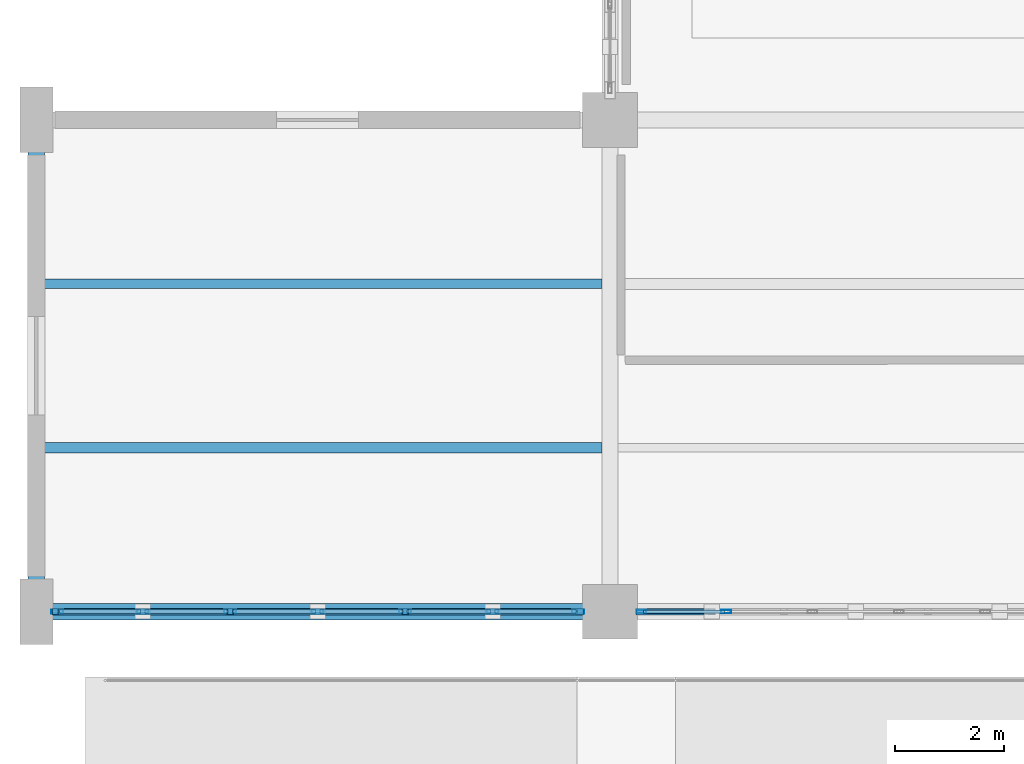
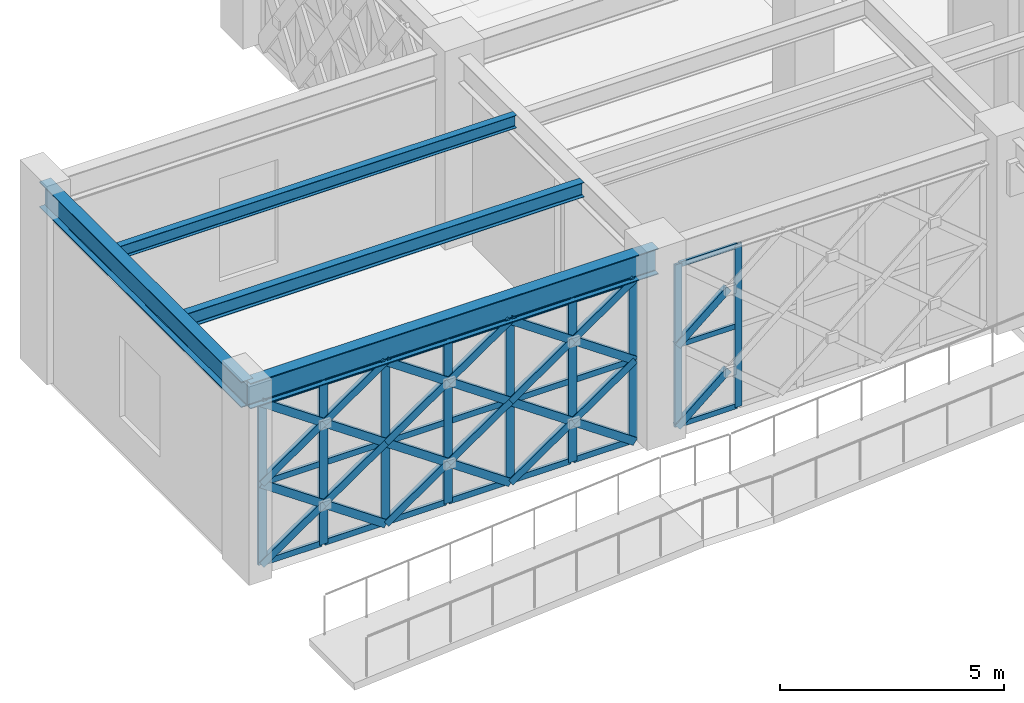
# One storey, part 37 of 140: 50 members, 4 beams, 2 elements without a shape of their own.
"""IFC4 building model written with IfcOpenShell, lengths in metres."""

from ifc_helpers import new_model, si_unit, direction, frame, origin, origin_2d, place, context, subcontext, project, spatial, hollow_rectangle, i_section, extrude, material, material_profile, profile_set, type_object, element, aggregate, save


model = new_model("IFC4")

# Units and contexts
model_context = context("Model", 3, precision=1e-05, world=origin(), true_north=direction((0.0, 1.0)))
body_context = subcontext(model_context, "Body", "Model", "MODEL_VIEW")
ifc_project = project(units=[si_unit("LENGTHUNIT", "METRE"), si_unit("AREAUNIT", "SQUARE_METRE"), si_unit("VOLUMEUNIT", "CUBIC_METRE"), si_unit("PLANEANGLEUNIT", "RADIAN"), si_unit("MASSUNIT", "GRAM", prefix="KILO")], contexts=[model_context])

# Site, building, storey
site_placement = place(None, origin())
site = spatial("IfcSite", under=ifc_project, at=site_placement, CompositionType="ELEMENT")
building_placement = place(site_placement, origin())
building = spatial("IfcBuilding", under=site, at=building_placement, Name="Haizhuo Lancet Aquarium", CompositionType="ELEMENT")
storey_placement = place(building_placement, origin())
storey = spatial("IfcBuildingStorey", under=building, at=storey_placement, Name="L00", CompositionType="ELEMENT", Elevation=0.0)

# Beams
ifc_material_1 = material(Name="Steel S355", Category="steel")
ifc_material_profile_1 = material_profile(ifc_material_1, i_section(OverallWidth=0.300048828125, OverallDepth=0.699951171875, WebThickness=0.012939453125, FlangeThickness=0.02392578125, FilletRadius=0.02587890625, at=origin_2d()), Name="HN 700x300x13x24")
ifc_profile_set_1 = profile_set([ifc_material_profile_1], Name="Steel S355")
beam_type_1 = type_object("IfcBeamType", Name="BM-ST-HN700", PredefinedType="BEAM", material=ifc_profile_set_1)
beam_1_placement = place(storey_placement, frame((-82.5, 9.0, 4.77001953125), z_axis=(0.0, 1.0, 0.0), x_axis=(-1.0, 0.0, 0.0)))
element("IfcBeam", 1, at=beam_1_placement, inside=storey, type_object=beam_type_1, Name="L00 V2 primary girder BM-L00-V2-001", PredefinedType="BEAM", context=body_context, shape_type="SweptSolid", body=[
    extrude(i_section(OverallWidth=0.300048828125, OverallDepth=0.699951171875, WebThickness=0.012939453125, FlangeThickness=0.02392578125, FilletRadius=0.02587890625, at=origin_2d()), origin(), (0.0, 0.0, 1.0), 9.0),
])
beam_2_placement = place(storey_placement, frame((-82.5, 9.0, 4.77001953125), z_axis=(1.0, 0.0, 0.0), x_axis=(0.0, 1.0, 0.0)))
element("IfcBeam", 2, at=beam_2_placement, inside=storey, type_object=beam_type_1, Name="L00 V2 primary girder BM-L00-V2-002", PredefinedType="BEAM", context=body_context, shape_type="SweptSolid", body=[
    extrude(i_section(OverallWidth=0.300048828125, OverallDepth=0.699951171875, WebThickness=0.012939453125, FlangeThickness=0.02392578125, FilletRadius=0.02587890625, at=origin_2d()), origin(), (0.0, 0.0, 1.0), 10.5),
])

# Curtain wall, members
ifc_material_2 = material(Name="Aluminium 6063-T6", Category="aluminium")
curtain_wall_type_1 = type_object("IfcCurtainWallType", Name="CWO-7910x4420", PredefinedType="NOTDEFINED", material=ifc_material_2)
curtain_wall_1_placement = place(storey_placement, origin())
curtain_wall_1 = element("IfcCurtainWall", 3, at=curtain_wall_1_placement, inside=storey, type_object=curtain_wall_type_1, Name="L00 curtain wall CW-V2-L00-019", PredefinedType="NOTDEFINED")
ifc_material_profile_2 = material_profile(ifc_material_2, hollow_rectangle(XDim=0.06494140625, YDim=0.179931640625, WallThickness=0.00390625, at=origin_2d()), Name="ALU-M 65x180x4")
ifc_profile_set_2 = profile_set([ifc_material_profile_2], Name="Aluminium 6063-T6")
member_type_1 = type_object("IfcMemberType", Name="CW-MUL-1", PredefinedType="MULLION", material=ifc_profile_set_2)
member_1_placement = place(storey_placement, frame((-69.873046875, 9.0, 0.0), z_axis=(0.0, 0.0, 1.0), x_axis=(0.0, -1.0, 0.0)))
member_1 = element("IfcMember", 4, at=member_1_placement, type_object=member_type_1, Name="CWO-79x44 mullion 5", PredefinedType="MULLION", context=body_context, shape_type="SweptSolid", body=[
    extrude(hollow_rectangle(XDim=0.06494140625, YDim=0.179931640625, WallThickness=0.00390625, at=origin_2d()), origin(), (0.0, 0.0, 1.0), 4.419921875),
])
member_2_placement = place(storey_placement, frame((-71.422119140625, 9.0, 0.0), z_axis=(0.0, 0.0, 1.0), x_axis=(0.0, -1.0, 0.0)))
member_2 = element("IfcMember", 5, at=member_2_placement, type_object=member_type_1, Name="CWO-79x44 mullion 6", PredefinedType="MULLION", context=body_context, shape_type="SweptSolid", body=[
    extrude(hollow_rectangle(XDim=0.06494140625, YDim=0.179931640625, WallThickness=0.00390625, at=origin_2d()), origin(), (0.0, 0.0, 1.0), 4.419921875),
])

curtain_wall_type_2 = type_object("IfcCurtainWallType", Name="CWO-9610x4420", PredefinedType="NOTDEFINED", material=ifc_material_2)
curtain_wall_2_placement = place(storey_placement, origin())
curtain_wall_2 = element("IfcCurtainWall", 6, at=curtain_wall_2_placement, inside=storey, type_object=curtain_wall_type_2, Name="L00 curtain wall CW-V2-L00-020", PredefinedType="NOTDEFINED")
ifc_material_profile_3 = material_profile(ifc_material_2, hollow_rectangle(XDim=0.074951171875, YDim=0.219970703125, WallThickness=0.0048828125, at=origin_2d()), Name="ALU-M 75x220x5")
ifc_profile_set_3 = profile_set([ifc_material_profile_3], Name="Aluminium 6063-T6")
member_type_2 = type_object("IfcMemberType", Name="CW-MUL-2", PredefinedType="MULLION", material=ifc_profile_set_3)
member_3_placement = place(storey_placement, frame((-72.58203125, 9.0, 0.0), z_axis=(0.0, 0.0, 1.0), x_axis=(0.0, -1.0, 0.0)))
member_3 = element("IfcMember", 7, at=member_3_placement, type_object=member_type_2, Name="CWO-96x44 mullion 1", PredefinedType="MULLION", context=body_context, shape_type="SweptSolid", body=[
    extrude(hollow_rectangle(XDim=0.074951171875, YDim=0.219970703125, WallThickness=0.0048828125, at=origin_2d()), origin(), (0.0, 0.0, 1.0), 4.419921875),
])
member_4_placement = place(storey_placement, frame((-74.14697265625, 9.0, 0.0), z_axis=(0.0, 0.0, 1.0), x_axis=(0.0, -1.0, 0.0)))
member_4 = element("IfcMember", 8, at=member_4_placement, type_object=member_type_2, Name="CWO-96x44 mullion 2", PredefinedType="MULLION", context=body_context, shape_type="SweptSolid", body=[
    extrude(hollow_rectangle(XDim=0.074951171875, YDim=0.219970703125, WallThickness=0.0048828125, at=origin_2d()), origin(), (0.0, 0.0, 1.0), 4.419921875),
])
member_5_placement = place(storey_placement, frame((-75.748046875, 9.0, 0.0), z_axis=(0.0, 0.0, 1.0), x_axis=(0.0, -1.0, 0.0)))
member_5 = element("IfcMember", 9, at=member_5_placement, type_object=member_type_2, Name="CWO-96x44 mullion 3", PredefinedType="MULLION", context=body_context, shape_type="SweptSolid", body=[
    extrude(hollow_rectangle(XDim=0.074951171875, YDim=0.219970703125, WallThickness=0.0048828125, at=origin_2d()), origin(), (0.0, 0.0, 1.0), 4.419921875),
])
member_6_placement = place(storey_placement, frame((-77.35009765625, 9.0, 0.0), z_axis=(0.0, 0.0, 1.0), x_axis=(0.0, -1.0, 0.0)))
member_6 = element("IfcMember", 10, at=member_6_placement, type_object=member_type_2, Name="CWO-96x44 mullion 4", PredefinedType="MULLION", context=body_context, shape_type="SweptSolid", body=[
    extrude(hollow_rectangle(XDim=0.074951171875, YDim=0.219970703125, WallThickness=0.0048828125, at=origin_2d()), origin(), (0.0, 0.0, 1.0), 4.419921875),
])
member_7_placement = place(storey_placement, frame((-78.951904296875, 9.0, 0.0), z_axis=(0.0, 0.0, 1.0), x_axis=(0.0, -1.0, 0.0)))
member_7 = element("IfcMember", 11, at=member_7_placement, type_object=member_type_2, Name="CWO-96x44 mullion 5", PredefinedType="MULLION", context=body_context, shape_type="SweptSolid", body=[
    extrude(hollow_rectangle(XDim=0.074951171875, YDim=0.219970703125, WallThickness=0.0048828125, at=origin_2d()), origin(), (0.0, 0.0, 1.0), 4.419921875),
])
member_8_placement = place(storey_placement, frame((-80.552978515625, 9.0, 0.0), z_axis=(0.0, 0.0, 1.0), x_axis=(0.0, -1.0, 0.0)))
member_8 = element("IfcMember", 12, at=member_8_placement, type_object=member_type_2, Name="CWO-96x44 mullion 6", PredefinedType="MULLION", context=body_context, shape_type="SweptSolid", body=[
    extrude(hollow_rectangle(XDim=0.074951171875, YDim=0.219970703125, WallThickness=0.0048828125, at=origin_2d()), origin(), (0.0, 0.0, 1.0), 4.419921875),
])
member_9_placement = place(storey_placement, frame((-82.117919921875, 9.0, 0.0), z_axis=(0.0, 0.0, 1.0), x_axis=(0.0, -1.0, 0.0)))
member_9 = element("IfcMember", 13, at=member_9_placement, type_object=member_type_2, Name="CWO-96x44 mullion 7", PredefinedType="MULLION", context=body_context, shape_type="SweptSolid", body=[
    extrude(hollow_rectangle(XDim=0.074951171875, YDim=0.219970703125, WallThickness=0.0048828125, at=origin_2d()), origin(), (0.0, 0.0, 1.0), 4.419921875),
])

# Member
ifc_material_profile_4 = material_profile(ifc_material_2, hollow_rectangle(XDim=0.06494140625, YDim=0.139892578125, WallThickness=0.00390625, at=origin_2d()), Name="ALU-T 65x140x4")
ifc_profile_set_4 = profile_set([ifc_material_profile_4], Name="Aluminium 6063-T6")
member_type_3 = type_object("IfcMemberType", Name="CW-TRN-1", PredefinedType="NOTDEFINED", material=ifc_profile_set_4)
member_10_placement = place(storey_placement, frame((-69.906005859375, 9.0, 0.032958984375), z_axis=(-1.0, 0.0, 0.0), x_axis=(0.0, -1.0, 0.0)))
member_10 = element("IfcMember", 14, at=member_10_placement, type_object=member_type_3, Name="CWO-79x44 transom 5.1", ObjectType="TRANSOM", PredefinedType="USERDEFINED", context=body_context, shape_type="SweptSolid", body=[
    extrude(hollow_rectangle(XDim=0.06494140625, YDim=0.139892578125, WallThickness=0.00390625, at=origin_2d()), origin(), (0.0, 0.0, 1.0), 1.48388671875),
])

member_11_placement = place(storey_placement, frame((-69.906005859375, 9.0, 2.2099609375), z_axis=(-1.0, 0.0, 0.0), x_axis=(0.0, -1.0, 0.0)))
member_11 = element("IfcMember", 15, at=member_11_placement, type_object=member_type_3, Name="CWO-79x44 transom 5.2", ObjectType="TRANSOM", PredefinedType="USERDEFINED", context=body_context, shape_type="SweptSolid", body=[
    extrude(hollow_rectangle(XDim=0.06494140625, YDim=0.139892578125, WallThickness=0.00390625, at=origin_2d()), origin(), (0.0, 0.0, 1.0), 1.48388671875),
])

member_12_placement = place(storey_placement, frame((-69.906005859375, 9.0, 4.387939453125), z_axis=(-1.0, 0.0, 0.0), x_axis=(0.0, -1.0, 0.0)))
member_12 = element("IfcMember", 16, at=member_12_placement, type_object=member_type_3, Name="CWO-79x44 transom 5.3", ObjectType="TRANSOM", PredefinedType="USERDEFINED", context=body_context, shape_type="SweptSolid", body=[
    extrude(hollow_rectangle(XDim=0.06494140625, YDim=0.139892578125, WallThickness=0.00390625, at=origin_2d()), origin(), (0.0, 0.0, 1.0), 1.48388671875),
])

aggregate(curtain_wall_1, [member_1, member_2, member_10, member_11, member_12])

ifc_material_profile_5 = material_profile(ifc_material_2, hollow_rectangle(XDim=0.074951171875, YDim=0.159912109375, WallThickness=0.00390625, at=origin_2d()), Name="ALU-T 75x160x4")
ifc_profile_set_5 = profile_set([ifc_material_profile_5], Name="Aluminium 6063-T6")
member_type_4 = type_object("IfcMemberType", Name="CW-TRN-2", PredefinedType="NOTDEFINED", material=ifc_profile_set_5)
member_13_placement = place(storey_placement, frame((-72.6201171875, 9.0, 0.037109375), z_axis=(-1.0, 0.0, 0.0), x_axis=(0.0, -1.0, 0.0)))
member_13 = element("IfcMember", 17, at=member_13_placement, type_object=member_type_4, Name="CWO-96x44 transom 1.1", ObjectType="TRANSOM", PredefinedType="USERDEFINED", context=body_context, shape_type="SweptSolid", body=[
    extrude(hollow_rectangle(XDim=0.074951171875, YDim=0.159912109375, WallThickness=0.00390625, at=origin_2d()), origin(), (0.0, 0.0, 1.0), 1.48876953125),
])

member_14_placement = place(storey_placement, frame((-72.6201171875, 9.0, 2.2099609375), z_axis=(-1.0, 0.0, 0.0), x_axis=(0.0, -1.0, 0.0)))
member_14 = element("IfcMember", 18, at=member_14_placement, type_object=member_type_4, Name="CWO-96x44 transom 1.2", ObjectType="TRANSOM", PredefinedType="USERDEFINED", context=body_context, shape_type="SweptSolid", body=[
    extrude(hollow_rectangle(XDim=0.074951171875, YDim=0.159912109375, WallThickness=0.00390625, at=origin_2d()), origin(), (0.0, 0.0, 1.0), 1.48876953125),
])

member_15_placement = place(storey_placement, frame((-72.6201171875, 9.0, 4.383056640625), z_axis=(-1.0, 0.0, 0.0), x_axis=(0.0, -1.0, 0.0)))
member_15 = element("IfcMember", 19, at=member_15_placement, type_object=member_type_4, Name="CWO-96x44 transom 1.3", ObjectType="TRANSOM", PredefinedType="USERDEFINED", context=body_context, shape_type="SweptSolid", body=[
    extrude(hollow_rectangle(XDim=0.074951171875, YDim=0.159912109375, WallThickness=0.00390625, at=origin_2d()), origin(), (0.0, 0.0, 1.0), 1.48876953125),
])

member_16_placement = place(storey_placement, frame((-74.18408203125, 9.0, 0.037109375), z_axis=(-1.0, 0.0, 0.0), x_axis=(0.0, -1.0, 0.0)))
member_16 = element("IfcMember", 20, at=member_16_placement, type_object=member_type_4, Name="CWO-96x44 transom 2.1", ObjectType="TRANSOM", PredefinedType="USERDEFINED", context=body_context, shape_type="SweptSolid", body=[
    extrude(hollow_rectangle(XDim=0.074951171875, YDim=0.159912109375, WallThickness=0.00390625, at=origin_2d()), origin(), (0.0, 0.0, 1.0), 1.52685546875),
])

member_17_placement = place(storey_placement, frame((-74.18408203125, 9.0, 2.2099609375), z_axis=(-1.0, 0.0, 0.0), x_axis=(0.0, -1.0, 0.0)))
member_17 = element("IfcMember", 21, at=member_17_placement, type_object=member_type_4, Name="CWO-96x44 transom 2.2", ObjectType="TRANSOM", PredefinedType="USERDEFINED", context=body_context, shape_type="SweptSolid", body=[
    extrude(hollow_rectangle(XDim=0.074951171875, YDim=0.159912109375, WallThickness=0.00390625, at=origin_2d()), origin(), (0.0, 0.0, 1.0), 1.52685546875),
])

member_18_placement = place(storey_placement, frame((-74.18408203125, 9.0, 4.383056640625), z_axis=(-1.0, 0.0, 0.0), x_axis=(0.0, -1.0, 0.0)))
member_18 = element("IfcMember", 22, at=member_18_placement, type_object=member_type_4, Name="CWO-96x44 transom 2.3", ObjectType="TRANSOM", PredefinedType="USERDEFINED", context=body_context, shape_type="SweptSolid", body=[
    extrude(hollow_rectangle(XDim=0.074951171875, YDim=0.159912109375, WallThickness=0.00390625, at=origin_2d()), origin(), (0.0, 0.0, 1.0), 1.52685546875),
])

member_19_placement = place(storey_placement, frame((-75.785888671875, 9.0, 0.037109375), z_axis=(-1.0, 0.0, 0.0), x_axis=(0.0, -1.0, 0.0)))
member_19 = element("IfcMember", 23, at=member_19_placement, type_object=member_type_4, Name="CWO-96x44 transom 3.1", ObjectType="TRANSOM", PredefinedType="USERDEFINED", context=body_context, shape_type="SweptSolid", body=[
    extrude(hollow_rectangle(XDim=0.074951171875, YDim=0.159912109375, WallThickness=0.00390625, at=origin_2d()), origin(), (0.0, 0.0, 1.0), 1.526123046875),
])

member_20_placement = place(storey_placement, frame((-75.785888671875, 9.0, 2.2099609375), z_axis=(-1.0, 0.0, 0.0), x_axis=(0.0, -1.0, 0.0)))
member_20 = element("IfcMember", 24, at=member_20_placement, type_object=member_type_4, Name="CWO-96x44 transom 3.2", ObjectType="TRANSOM", PredefinedType="USERDEFINED", context=body_context, shape_type="SweptSolid", body=[
    extrude(hollow_rectangle(XDim=0.074951171875, YDim=0.159912109375, WallThickness=0.00390625, at=origin_2d()), origin(), (0.0, 0.0, 1.0), 1.526123046875),
])

member_21_placement = place(storey_placement, frame((-75.785888671875, 9.0, 4.383056640625), z_axis=(-1.0, 0.0, 0.0), x_axis=(0.0, -1.0, 0.0)))
member_21 = element("IfcMember", 25, at=member_21_placement, type_object=member_type_4, Name="CWO-96x44 transom 3.3", ObjectType="TRANSOM", PredefinedType="USERDEFINED", context=body_context, shape_type="SweptSolid", body=[
    extrude(hollow_rectangle(XDim=0.074951171875, YDim=0.159912109375, WallThickness=0.00390625, at=origin_2d()), origin(), (0.0, 0.0, 1.0), 1.526123046875),
])

member_22_placement = place(storey_placement, frame((-77.387939453125, 9.0, 0.037109375), z_axis=(-1.0, 0.0, 0.0), x_axis=(0.0, -1.0, 0.0)))
member_22 = element("IfcMember", 26, at=member_22_placement, type_object=member_type_4, Name="CWO-96x44 transom 4.1", ObjectType="TRANSOM", PredefinedType="USERDEFINED", context=body_context, shape_type="SweptSolid", body=[
    extrude(hollow_rectangle(XDim=0.074951171875, YDim=0.159912109375, WallThickness=0.00390625, at=origin_2d()), origin(), (0.0, 0.0, 1.0), 1.526123046875),
])

member_23_placement = place(storey_placement, frame((-77.387939453125, 9.0, 2.2099609375), z_axis=(-1.0, 0.0, 0.0), x_axis=(0.0, -1.0, 0.0)))
member_23 = element("IfcMember", 27, at=member_23_placement, type_object=member_type_4, Name="CWO-96x44 transom 4.2", ObjectType="TRANSOM", PredefinedType="USERDEFINED", context=body_context, shape_type="SweptSolid", body=[
    extrude(hollow_rectangle(XDim=0.074951171875, YDim=0.159912109375, WallThickness=0.00390625, at=origin_2d()), origin(), (0.0, 0.0, 1.0), 1.526123046875),
])

member_24_placement = place(storey_placement, frame((-77.387939453125, 9.0, 4.383056640625), z_axis=(-1.0, 0.0, 0.0), x_axis=(0.0, -1.0, 0.0)))
member_24 = element("IfcMember", 28, at=member_24_placement, type_object=member_type_4, Name="CWO-96x44 transom 4.3", ObjectType="TRANSOM", PredefinedType="USERDEFINED", context=body_context, shape_type="SweptSolid", body=[
    extrude(hollow_rectangle(XDim=0.074951171875, YDim=0.159912109375, WallThickness=0.00390625, at=origin_2d()), origin(), (0.0, 0.0, 1.0), 1.526123046875),
])

member_25_placement = place(storey_placement, frame((-78.989013671875, 9.0, 0.037109375), z_axis=(-1.0, 0.0, 0.0), x_axis=(0.0, -1.0, 0.0)))
member_25 = element("IfcMember", 29, at=member_25_placement, type_object=member_type_4, Name="CWO-96x44 transom 5.1", ObjectType="TRANSOM", PredefinedType="USERDEFINED", context=body_context, shape_type="SweptSolid", body=[
    extrude(hollow_rectangle(XDim=0.074951171875, YDim=0.159912109375, WallThickness=0.00390625, at=origin_2d()), origin(), (0.0, 0.0, 1.0), 1.527099609375),
])

member_26_placement = place(storey_placement, frame((-78.989013671875, 9.0, 2.2099609375), z_axis=(-1.0, 0.0, 0.0), x_axis=(0.0, -1.0, 0.0)))
member_26 = element("IfcMember", 30, at=member_26_placement, type_object=member_type_4, Name="CWO-96x44 transom 5.2", ObjectType="TRANSOM", PredefinedType="USERDEFINED", context=body_context, shape_type="SweptSolid", body=[
    extrude(hollow_rectangle(XDim=0.074951171875, YDim=0.159912109375, WallThickness=0.00390625, at=origin_2d()), origin(), (0.0, 0.0, 1.0), 1.527099609375),
])

member_27_placement = place(storey_placement, frame((-78.989013671875, 9.0, 4.383056640625), z_axis=(-1.0, 0.0, 0.0), x_axis=(0.0, -1.0, 0.0)))
member_27 = element("IfcMember", 31, at=member_27_placement, type_object=member_type_4, Name="CWO-96x44 transom 5.3", ObjectType="TRANSOM", PredefinedType="USERDEFINED", context=body_context, shape_type="SweptSolid", body=[
    extrude(hollow_rectangle(XDim=0.074951171875, YDim=0.159912109375, WallThickness=0.00390625, at=origin_2d()), origin(), (0.0, 0.0, 1.0), 1.527099609375),
])

member_28_placement = place(storey_placement, frame((-80.591064453125, 9.0, 0.037109375), z_axis=(-1.0, 0.0, 0.0), x_axis=(0.0, -1.0, 0.0)))
member_28 = element("IfcMember", 32, at=member_28_placement, type_object=member_type_4, Name="CWO-96x44 transom 6.1", ObjectType="TRANSOM", PredefinedType="USERDEFINED", context=body_context, shape_type="SweptSolid", body=[
    extrude(hollow_rectangle(XDim=0.074951171875, YDim=0.159912109375, WallThickness=0.00390625, at=origin_2d()), origin(), (0.0, 0.0, 1.0), 1.489013671875),
])

member_29_placement = place(storey_placement, frame((-80.591064453125, 9.0, 2.2099609375), z_axis=(-1.0, 0.0, 0.0), x_axis=(0.0, -1.0, 0.0)))
member_29 = element("IfcMember", 33, at=member_29_placement, type_object=member_type_4, Name="CWO-96x44 transom 6.2", ObjectType="TRANSOM", PredefinedType="USERDEFINED", context=body_context, shape_type="SweptSolid", body=[
    extrude(hollow_rectangle(XDim=0.074951171875, YDim=0.159912109375, WallThickness=0.00390625, at=origin_2d()), origin(), (0.0, 0.0, 1.0), 1.489013671875),
])

member_30_placement = place(storey_placement, frame((-80.591064453125, 9.0, 4.383056640625), z_axis=(-1.0, 0.0, 0.0), x_axis=(0.0, -1.0, 0.0)))
member_30 = element("IfcMember", 34, at=member_30_placement, type_object=member_type_4, Name="CWO-96x44 transom 6.3", ObjectType="TRANSOM", PredefinedType="USERDEFINED", context=body_context, shape_type="SweptSolid", body=[
    extrude(hollow_rectangle(XDim=0.074951171875, YDim=0.159912109375, WallThickness=0.00390625, at=origin_2d()), origin(), (0.0, 0.0, 1.0), 1.489013671875),
])

aggregate(curtain_wall_2, [member_3, member_4, member_5, member_6, member_7, member_8, member_9, member_13, member_14, member_15, member_16, member_17, member_18, member_19, member_20, member_21, member_22, member_23, member_24, member_25, member_26, member_27, member_28, member_29, member_30])

# Beams
ifc_material_profile_6 = material_profile(ifc_material_1, i_section(OverallWidth=0.175048828125, OverallDepth=0.35009765625, WebThickness=0.007080078125, FlangeThickness=0.010986328125, FilletRadius=0.013916015625, at=origin_2d()), Name="HN 350x175x7x11")
ifc_profile_set_6 = profile_set([ifc_material_profile_6], Name="Steel S355")
beam_type_2 = type_object("IfcBeamType", Name="JST-ST-HN350", PredefinedType="JOIST", material=ifc_profile_set_6)
beam_3_placement = place(storey_placement, frame((-82.35009765625, 15.0, 4.945068359375), z_axis=(1.0, 0.0, 0.0), x_axis=(0.0, 1.0, 0.0)))
element("IfcBeam", 35, at=beam_3_placement, inside=storey, type_object=beam_type_2, Name="L00 V2 secondary floor joist 2", PredefinedType="JOIST", context=body_context, shape_type="SweptSolid", body=[
    extrude(i_section(OverallWidth=0.175048828125, OverallDepth=0.35009765625, WebThickness=0.007080078125, FlangeThickness=0.010986328125, FilletRadius=0.013916015625, at=origin_2d()), origin(), (0.0, 0.0, 1.0), 10.2001953125),
])
ifc_material_profile_7 = material_profile(ifc_material_1, i_section(OverallWidth=0.199951171875, OverallDepth=0.39990234375, WebThickness=0.008056640625, FlangeThickness=0.012939453125, FilletRadius=0.01611328125, at=origin_2d()), Name="HN 400x200x8x13")
ifc_profile_set_7 = profile_set([ifc_material_profile_7], Name="Steel S355")
beam_type_3 = type_object("IfcBeamType", Name="JST-ST-HN400", PredefinedType="JOIST", material=ifc_profile_set_7)
beam_4_placement = place(storey_placement, frame((-82.35009765625, 12.0, 4.919921875), z_axis=(1.0, 0.0, 0.0), x_axis=(0.0, 1.0, 0.0)))
element("IfcBeam", 36, at=beam_4_placement, inside=storey, type_object=beam_type_3, Name="L00 V2 secondary floor joist 1", PredefinedType="JOIST", context=body_context, shape_type="SweptSolid", body=[
    extrude(i_section(OverallWidth=0.199951171875, OverallDepth=0.39990234375, WebThickness=0.008056640625, FlangeThickness=0.012939453125, FilletRadius=0.01611328125, at=origin_2d()), origin(), (0.0, 0.0, 1.0), 10.2001953125),
])

# Members
ifc_material_profile_8 = material_profile(ifc_material_1, hollow_rectangle(XDim=0.1201171875, YDim=0.199951171875, WallThickness=0.008056640625, at=origin_2d()), Name="RHS 120x200x8")
ifc_profile_set_8 = profile_set([ifc_material_profile_8], Name="Steel S355")
member_type_5 = type_object("IfcMemberType", Name="MEM-LB-RHS120x200", PredefinedType="BRACE", material=ifc_profile_set_8)
for number, where, z_axis, x_axis, name in (
    (37, (-71.455078125, 9.0, 0.0), (0.76657899599, 0.0, 0.64215001589), (0.0, 1.0, 0.0), "Gothic lancet split diagonal brace CW-V2-L00-019 5B1"),
    (38, (-71.455078125, 9.0, 2.2099609375), (0.76657899599, 0.0, 0.64215001589), (0.0, 1.0, 0.0), "Gothic lancet split diagonal brace CW-V2-L00-019 6B1"),
):
    element("IfcMember", number, at=place(storey_placement, frame(where, z_axis=z_axis, x_axis=x_axis)), inside=storey, type_object=member_type_5, Name=name, PredefinedType="BRACE", context=body_context, shape_type="SweptSolid", body=[
        extrude(hollow_rectangle(XDim=0.1201171875, YDim=0.199951171875, WallThickness=0.008056640625, at=origin_2d()), origin(), (0.0, 0.0, 1.0), 1.720703125),
    ])
member_31_placement = place(storey_placement, frame((-72.544921875, 9.0, 0.0), z_axis=(-0.823103575721, 0.0, 0.567891278005), x_axis=(0.0, -1.0, 0.0)))
element("IfcMember", 39, at=member_31_placement, inside=storey, type_object=member_type_5, Name="Gothic lancet continuous diagonal brace CW-V2-L00-020 1A", PredefinedType="BRACE", context=body_context, shape_type="SweptSolid", body=[
    extrude(hollow_rectangle(XDim=0.1201171875, YDim=0.199951171875, WallThickness=0.008056640625, at=origin_2d()), origin(), (0.0, 0.0, 1.0), 3.8916015625),
])
member_32_placement = place(storey_placement, frame((-75.748046875, 9.0, 0.0), z_axis=(0.823022620361, 0.0, 0.568008597096), x_axis=(0.0, 1.0, 0.0)))
element("IfcMember", 40, at=member_32_placement, inside=storey, type_object=member_type_5, Name="Gothic lancet split diagonal brace CW-V2-L00-020 1B1", PredefinedType="BRACE", context=body_context, shape_type="SweptSolid", body=[
    extrude(hollow_rectangle(XDim=0.1201171875, YDim=0.199951171875, WallThickness=0.008056640625, at=origin_2d()), origin(), (0.0, 0.0, 1.0), 1.9453125),
])
member_33_placement = place(storey_placement, frame((-74.14697265625, 9.0, 1.10498046875), z_axis=(0.823184480933, 0.0, 0.56777399584), x_axis=(0.0, 1.0, 0.0)))
element("IfcMember", 41, at=member_33_placement, inside=storey, type_object=member_type_5, Name="Gothic lancet split diagonal brace CW-V2-L00-020 1B2", PredefinedType="BRACE", context=body_context, shape_type="SweptSolid", body=[
    extrude(hollow_rectangle(XDim=0.1201171875, YDim=0.199951171875, WallThickness=0.008056640625, at=origin_2d()), origin(), (0.0, 0.0, 1.0), 1.946044921875),
])
member_34_placement = place(storey_placement, frame((-72.544921875, 9.0, 2.2099609375), z_axis=(-0.823103575721, 0.0, 0.567891278005), x_axis=(0.0, -1.0, 0.0)))
element("IfcMember", 42, at=member_34_placement, inside=storey, type_object=member_type_5, Name="Gothic lancet continuous diagonal brace CW-V2-L00-020 2A", PredefinedType="BRACE", context=body_context, shape_type="SweptSolid", body=[
    extrude(hollow_rectangle(XDim=0.1201171875, YDim=0.199951171875, WallThickness=0.008056640625, at=origin_2d()), origin(), (0.0, 0.0, 1.0), 3.8916015625),
])
member_35_placement = place(storey_placement, frame((-75.748046875, 9.0, 2.2099609375), z_axis=(0.823022620361, 0.0, 0.568008597096), x_axis=(0.0, 1.0, 0.0)))
element("IfcMember", 43, at=member_35_placement, inside=storey, type_object=member_type_5, Name="Gothic lancet split diagonal brace CW-V2-L00-020 2B1", PredefinedType="BRACE", context=body_context, shape_type="SweptSolid", body=[
    extrude(hollow_rectangle(XDim=0.1201171875, YDim=0.199951171875, WallThickness=0.008056640625, at=origin_2d()), origin(), (0.0, 0.0, 1.0), 1.9453125),
])
member_36_placement = place(storey_placement, frame((-74.14697265625, 9.0, 3.31494140625), z_axis=(0.823184480933, 0.0, 0.56777399584), x_axis=(0.0, 1.0, 0.0)))
element("IfcMember", 44, at=member_36_placement, inside=storey, type_object=member_type_5, Name="Gothic lancet split diagonal brace CW-V2-L00-020 2B2", PredefinedType="BRACE", context=body_context, shape_type="SweptSolid", body=[
    extrude(hollow_rectangle(XDim=0.1201171875, YDim=0.199951171875, WallThickness=0.008056640625, at=origin_2d()), origin(), (0.0, 0.0, 1.0), 1.946044921875),
])
member_37_placement = place(storey_placement, frame((-75.748046875, 9.0, 0.0), z_axis=(-0.823164259329, 0.0, 0.56780331292), x_axis=(0.0, -1.0, 0.0)))
element("IfcMember", 45, at=member_37_placement, inside=storey, type_object=member_type_5, Name="Gothic lancet continuous diagonal brace CW-V2-L00-020 3A", PredefinedType="BRACE", context=body_context, shape_type="SweptSolid", body=[
    extrude(hollow_rectangle(XDim=0.1201171875, YDim=0.199951171875, WallThickness=0.008056640625, at=origin_2d()), origin(), (0.0, 0.0, 1.0), 3.89208984375),
])
for number, where, z_axis, x_axis, name in (
    (46, (-78.951904296875, 9.0, 0.0), (0.823144034593, 0.0, 0.567832632308), (0.0, 1.0, 0.0), "Gothic lancet split diagonal brace CW-V2-L00-020 3B1"),
    (47, (-77.35009765625, 9.0, 1.10498046875), (0.823184480933, 0.0, 0.56777399584), (0.0, 1.0, 0.0), "Gothic lancet split diagonal brace CW-V2-L00-020 3B2"),
):
    element("IfcMember", number, at=place(storey_placement, frame(where, z_axis=z_axis, x_axis=x_axis)), inside=storey, type_object=member_type_5, Name=name, PredefinedType="BRACE", context=body_context, shape_type="SweptSolid", body=[
        extrude(hollow_rectangle(XDim=0.1201171875, YDim=0.199951171875, WallThickness=0.008056640625, at=origin_2d()), origin(), (0.0, 0.0, 1.0), 1.946044921875),
    ])
member_38_placement = place(storey_placement, frame((-75.748046875, 9.0, 2.2099609375), z_axis=(-0.823164259329, 0.0, 0.56780331292), x_axis=(0.0, -1.0, 0.0)))
element("IfcMember", 48, at=member_38_placement, inside=storey, type_object=member_type_5, Name="Gothic lancet continuous diagonal brace CW-V2-L00-020 4A", PredefinedType="BRACE", context=body_context, shape_type="SweptSolid", body=[
    extrude(hollow_rectangle(XDim=0.1201171875, YDim=0.199951171875, WallThickness=0.008056640625, at=origin_2d()), origin(), (0.0, 0.0, 1.0), 3.89208984375),
])
for number, where, z_axis, x_axis, name in (
    (49, (-78.951904296875, 9.0, 2.2099609375), (0.823144034593, 0.0, 0.567832632308), (0.0, 1.0, 0.0), "Gothic lancet split diagonal brace CW-V2-L00-020 4B1"),
    (50, (-77.35009765625, 9.0, 3.31494140625), (0.823184480933, 0.0, 0.56777399584), (0.0, 1.0, 0.0), "Gothic lancet split diagonal brace CW-V2-L00-020 4B2"),
):
    element("IfcMember", number, at=place(storey_placement, frame(where, z_axis=z_axis, x_axis=x_axis)), inside=storey, type_object=member_type_5, Name=name, PredefinedType="BRACE", context=body_context, shape_type="SweptSolid", body=[
        extrude(hollow_rectangle(XDim=0.1201171875, YDim=0.199951171875, WallThickness=0.008056640625, at=origin_2d()), origin(), (0.0, 0.0, 1.0), 1.946044921875),
    ])
member_39_placement = place(storey_placement, frame((-78.951904296875, 9.0, 0.0), z_axis=(-0.823103575721, 0.0, 0.567891278005), x_axis=(0.0, -1.0, 0.0)))
element("IfcMember", 51, at=member_39_placement, inside=storey, type_object=member_type_5, Name="Gothic lancet continuous diagonal brace CW-V2-L00-020 5A", PredefinedType="BRACE", context=body_context, shape_type="SweptSolid", body=[
    extrude(hollow_rectangle(XDim=0.1201171875, YDim=0.199951171875, WallThickness=0.008056640625, at=origin_2d()), origin(), (0.0, 0.0, 1.0), 3.8916015625),
])
member_40_placement = place(storey_placement, frame((-82.155029296875, 9.0, 0.0), z_axis=(0.823184480933, 0.0, 0.56777399584), x_axis=(0.0, 1.0, 0.0)))
element("IfcMember", 52, at=member_40_placement, inside=storey, type_object=member_type_5, Name="Gothic lancet split diagonal brace CW-V2-L00-020 5B1", PredefinedType="BRACE", context=body_context, shape_type="SweptSolid", body=[
    extrude(hollow_rectangle(XDim=0.1201171875, YDim=0.199951171875, WallThickness=0.008056640625, at=origin_2d()), origin(), (0.0, 0.0, 1.0), 1.946044921875),
])
member_41_placement = place(storey_placement, frame((-80.552978515625, 9.0, 1.10498046875), z_axis=(0.823022620361, 0.0, 0.568008597096), x_axis=(0.0, 1.0, 0.0)))
element("IfcMember", 53, at=member_41_placement, inside=storey, type_object=member_type_5, Name="Gothic lancet split diagonal brace CW-V2-L00-020 5B2", PredefinedType="BRACE", context=body_context, shape_type="SweptSolid", body=[
    extrude(hollow_rectangle(XDim=0.1201171875, YDim=0.199951171875, WallThickness=0.008056640625, at=origin_2d()), origin(), (0.0, 0.0, 1.0), 1.9453125),
])
member_42_placement = place(storey_placement, frame((-78.951904296875, 9.0, 2.2099609375), z_axis=(-0.823103575721, 0.0, 0.567891278005), x_axis=(0.0, -1.0, 0.0)))
element("IfcMember", 54, at=member_42_placement, inside=storey, type_object=member_type_5, Name="Gothic lancet continuous diagonal brace CW-V2-L00-020 6A", PredefinedType="BRACE", context=body_context, shape_type="SweptSolid", body=[
    extrude(hollow_rectangle(XDim=0.1201171875, YDim=0.199951171875, WallThickness=0.008056640625, at=origin_2d()), origin(), (0.0, 0.0, 1.0), 3.8916015625),
])
member_43_placement = place(storey_placement, frame((-82.155029296875, 9.0, 2.2099609375), z_axis=(0.823184480933, 0.0, 0.56777399584), x_axis=(0.0, 1.0, 0.0)))
element("IfcMember", 55, at=member_43_placement, inside=storey, type_object=member_type_5, Name="Gothic lancet split diagonal brace CW-V2-L00-020 6B1", PredefinedType="BRACE", context=body_context, shape_type="SweptSolid", body=[
    extrude(hollow_rectangle(XDim=0.1201171875, YDim=0.199951171875, WallThickness=0.008056640625, at=origin_2d()), origin(), (0.0, 0.0, 1.0), 1.946044921875),
])
member_44_placement = place(storey_placement, frame((-80.552978515625, 9.0, 3.31494140625), z_axis=(0.823022620361, 0.0, 0.568008597096), x_axis=(0.0, 1.0, 0.0)))
element("IfcMember", 56, at=member_44_placement, inside=storey, type_object=member_type_5, Name="Gothic lancet split diagonal brace CW-V2-L00-020 6B2", PredefinedType="BRACE", context=body_context, shape_type="SweptSolid", body=[
    extrude(hollow_rectangle(XDim=0.1201171875, YDim=0.199951171875, WallThickness=0.008056640625, at=origin_2d()), origin(), (0.0, 0.0, 1.0), 1.9453125),
])

save(model, "model.ifc")
